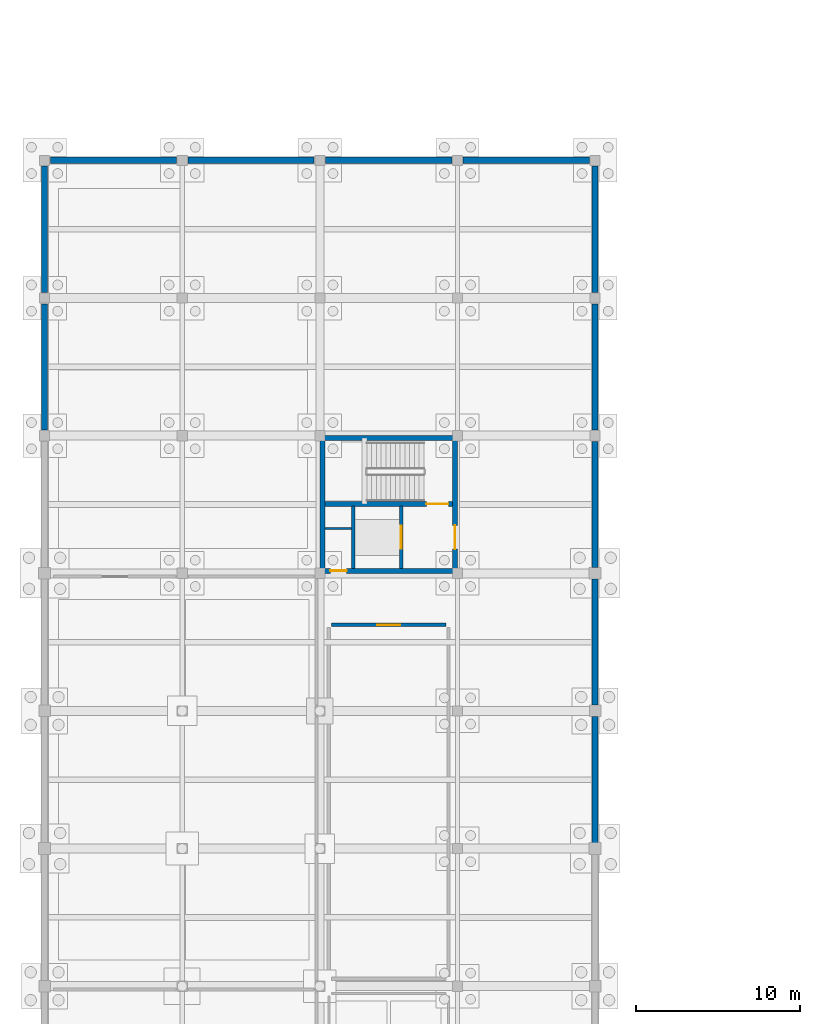
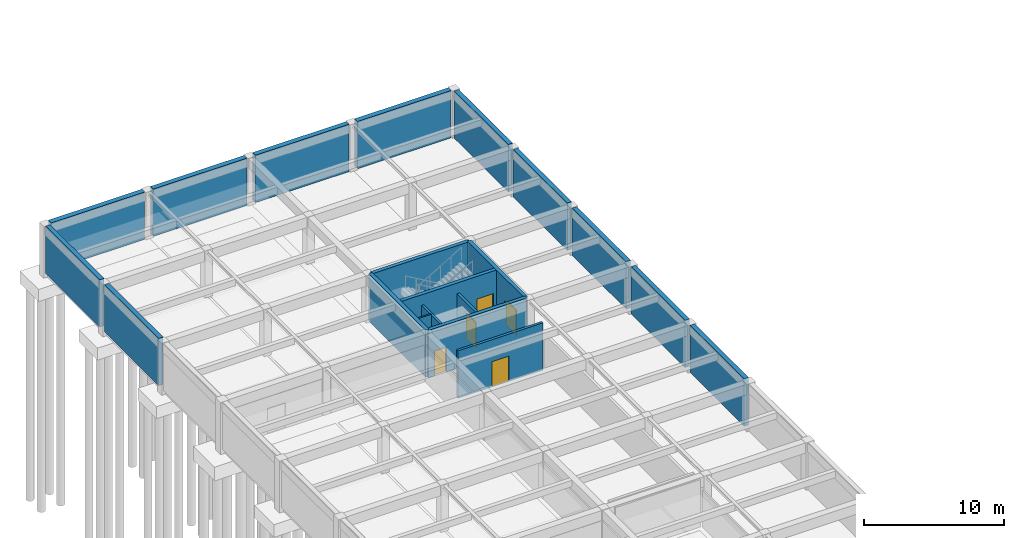
# One storey, part 20 of 33: 20 walls, 5 doors, 5 openings.
"""IFC4 building model written with IfcOpenShell, lengths in metres."""

from ifc_helpers import new_model, si_unit, direction, frame, frame_2d, origin, place, context, subcontext, project, spatial, rectangle, extrude, material, layer, layer_set, type_object, element, fill, save


model = new_model("IFC4")

# Units and contexts
model_context = context("Model", 3, precision=1e-05, world=origin(), true_north=direction((0.0, 1.0)))
body_context = subcontext(model_context, "Body", "Model", "MODEL_VIEW")
ifc_project = project(units=[si_unit("LENGTHUNIT", "METRE"), si_unit("AREAUNIT", "SQUARE_METRE"), si_unit("VOLUMEUNIT", "CUBIC_METRE"), si_unit("PLANEANGLEUNIT", "RADIAN"), si_unit("MASSUNIT", "GRAM", prefix="KILO")], contexts=[model_context])

# Site, building, storey
site_placement = place(None, origin())
site = spatial("IfcSite", under=ifc_project, at=site_placement, CompositionType="ELEMENT")
building_placement = place(site_placement, origin())
building = spatial("IfcBuilding", under=site, at=building_placement, Name="Kveldsbrygga Polytechnic", CompositionType="ELEMENT")
storey_placement = place(building_placement, frame((0.0, 0.0, -4.419921875)))
storey = spatial("IfcBuildingStorey", under=building, at=storey_placement, Name="B1", CompositionType="ELEMENT", Elevation=-4.419921875)

# Wall, opening, door
ifc_material_1 = material(Name="Concrete blockwork masonry", Category="masonry")
ifc_layer_1 = layer(ifc_material_1, 0.2099609375)
ifc_layer_set_1 = layer_set([ifc_layer_1], Name="Concrete blockwork masonry")
wall_type_1 = type_object("IfcWallType", Name="IW-PLT-210", PredefinedType="PARTITIONING", material=ifc_layer_set_1)
wall_1_placement = place(storey_placement, frame((17.5, 80.85009765625, 0.0), z_axis=(0.0, 0.0, 1.0), x_axis=(1.0, 0.0, 0.0)))
wall_1 = element("IfcWall", 1, at=wall_1_placement, inside=storey, type_object=wall_type_1, Name="Partition Wall IW-SP-B1-PLANT1-N1", PredefinedType="PARTITIONING", context=body_context, shape_type="SweptSolid", body=[
    extrude(rectangle(XDim=7.0, YDim=0.2099609375, at=frame_2d((3.5, 0.0))), origin(), (0.0, 0.0, 1.0), 4.119873046875),
])
opening_1_placement = place(wall_1_placement, frame((2.800048828125, 0.0, 0.0)))
opening_1 = element("IfcOpeningElement", 2, at=opening_1_placement, cuts=wall_1, Name="Opening ID-B1-004", PredefinedType="OPENING", context=body_context, shape_type="SweptSolid", body=[
    extrude(rectangle(XDim=1.39990234375, YDim=2.199951171875, at=frame_2d((0.699951171875, 1.10009765625))), frame((0.0, 0.114990234375, 0.0), z_axis=(0.0, -1.0, 0.0), x_axis=(1.0, 0.0, 0.0)), (0.0, 0.0, 1.0), 0.22998046875),
])
ifc_material_2 = material(Name="Powder-coated galvanised steel", Category="steel")
door_type_1 = type_object("IfcDoorType", Name="ID-PLT-140x220", OperationType="DOUBLE_DOOR_SINGLE_SWING", PredefinedType="DOOR", material=ifc_material_2)
door_1_placement = place(opening_1_placement, origin())
door_1 = element("IfcDoor", 3, at=door_1_placement, inside=storey, type_object=door_type_1, Name="Interior Door ID-B1-004", OperationType="DOUBLE_DOOR_SINGLE_SWING", OverallHeight=2.199951171875, OverallWidth=1.39990234375, PredefinedType="DOOR", context=body_context, shape_type="SweptSolid", body=[
    extrude(rectangle(XDim=1.39990234375, YDim=2.199951171875, at=frame_2d((0.699951171875, 1.10009765625))), frame((0.0, 0.02490234375, 0.0), z_axis=(0.0, -1.0, 0.0), x_axis=(1.0, 0.0, 0.0)), (0.0, 0.0, 1.0), 0.050048828125),
])
fill(opening_1, door_1)

# Wall
ifc_material_3 = material(Name="Moisture-resistant masonry M10", Category="masonry")
ifc_layer_2 = layer(ifc_material_3, 0.1298828125)
ifc_layer_set_2 = layer_set([ifc_layer_2], Name="Moisture-resistant masonry M10")
wall_type_2 = type_object("IfcWallType", Name="IW-SAN-130", PredefinedType="PARTITIONING", material=ifc_layer_set_2)
wall_2_placement = place(storey_placement, frame((17.1201171875, 86.739990234375, 0.0), z_axis=(0.0, 0.0, 1.0), x_axis=(1.0, 0.0, 0.0)))
element("IfcWall", 4, at=wall_2_placement, inside=storey, type_object=wall_type_2, Name="Core AWC Divider C8-B1-W-RSR", PredefinedType="PARTITIONING", context=body_context, shape_type="SweptSolid", body=[
    extrude(rectangle(XDim=1.619873046875, YDim=0.1298828125, at=frame_2d((0.81005859375, 0.0))), origin(), (0.0, 0.0, 1.0), 3.280029296875),
])

# Wall, opening, door
ifc_material_4 = material(Name="Concrete C45/55", Category="concrete")
ifc_layer_3 = layer(ifc_material_4, 0.300048828125)
ifc_layer_set_3 = layer_set([ifc_layer_3], Name="Concrete C45/55")
wall_type_3 = type_object("IfcWallType", Name="WL-CORE-300", PredefinedType="SHEAR", material=ifc_layer_set_3)
wall_3_placement = place(storey_placement, frame((16.949951171875, 84.14990234375, 0.0), z_axis=(0.0, 0.0, 1.0), x_axis=(1.0, 0.0, 0.0)))
wall_3 = element("IfcWall", 5, at=wall_3_placement, inside=storey, type_object=wall_type_3, Name="Core C8 Shear Wall C8-B1-SW-S", PredefinedType="SHEAR", context=body_context, shape_type="SweptSolid", body=[
    extrude(rectangle(XDim=8.10009765625, YDim=0.300048828125, at=frame_2d((4.050048828125, 0.0))), origin(), (0.0, 0.0, 1.0), 4.119873046875),
])
opening_2_placement = place(wall_3_placement, frame((0.485107421875, 0.0, 0.0)))
opening_2 = element("IfcOpeningElement", 6, at=opening_2_placement, cuts=wall_3, Name="Opening ID-C8-B1-AWC", PredefinedType="OPENING", context=body_context, shape_type="SweptSolid", body=[
    extrude(rectangle(XDim=1.0, YDim=2.14990234375, at=frame_2d((0.5, 1.074951171875))), frame((0.0, 0.16015625, 0.0), z_axis=(0.0, -1.0, 0.0), x_axis=(1.0, 0.0, 0.0)), (0.0, 0.0, 1.0), 0.320068359375),
])
ifc_material_5 = material(Name="Acoustic oak timber", Category="wood")
door_type_2 = type_object("IfcDoorType", Name="ID-AWC-100x215", OperationType="NOTDEFINED", PredefinedType="DOOR", material=ifc_material_5)
door_2_placement = place(opening_2_placement, origin())
door_2 = element("IfcDoor", 7, at=door_2_placement, inside=storey, type_object=door_type_2, Name="Accessible WC Door ID-C8-B1-AWC", OperationType="SINGLE_SWING_LEFT", OverallHeight=2.14990234375, OverallWidth=1.0, PredefinedType="DOOR", context=body_context, shape_type="SweptSolid", body=[
    extrude(rectangle(XDim=1.0, YDim=2.14990234375, at=frame_2d((0.5, 1.074951171875))), frame((0.0, 0.02490234375, 0.0), z_axis=(0.0, -1.0, 0.0), x_axis=(1.0, 0.0, 0.0)), (0.0, 0.0, 1.0), 0.050048828125),
])
fill(opening_2, door_2)

# Walls
for number, where, z_axis, x_axis, name in (
    (8, (16.949951171875, 92.25, 0.0), (0.0, 0.0, 1.0), (1.0, 0.0, 0.0), "Core C8 Shear Wall C8-B1-SW-N"),
    (9, (16.949951171875, 84.14990234375, 0.0), (0.0, 0.0, 1.0), (0.0, 1.0, 0.0), "Core C8 Shear Wall C8-B1-SW-W"),
):
    element("IfcWall", number, at=place(storey_placement, frame(where, z_axis=z_axis, x_axis=x_axis)), inside=storey, type_object=wall_type_3, Name=name, PredefinedType="SHEAR", context=body_context, shape_type="SweptSolid", body=[
        extrude(rectangle(XDim=8.10009765625, YDim=0.300048828125, at=frame_2d((4.050048828125, 0.0))), origin(), (0.0, 0.0, 1.0), 4.119873046875),
    ])

# Wall, opening, door
wall_4_placement = place(storey_placement, frame((25.050048828125, 84.14990234375, 0.0), z_axis=(0.0, 0.0, 1.0), x_axis=(0.0, 1.0, 0.0)))
wall_4 = element("IfcWall", 10, at=wall_4_placement, inside=storey, type_object=wall_type_3, Name="Core C8 Shear Wall C8-B1-SW-E", PredefinedType="SHEAR", context=body_context, shape_type="SweptSolid", body=[
    extrude(rectangle(XDim=8.10009765625, YDim=0.300048828125, at=frame_2d((4.050048828125, 0.0))), origin(), (0.0, 0.0, 1.0), 4.119873046875),
])
opening_3_placement = place(wall_4_placement, frame((1.324951171875, 0.0, 0.0)))
opening_3 = element("IfcOpeningElement", 11, at=opening_3_placement, cuts=wall_4, Name="Opening FD-C8-B1-LOB", PredefinedType="OPENING", context=body_context, shape_type="SweptSolid", body=[
    extrude(rectangle(XDim=1.449951171875, YDim=2.14990234375, at=frame_2d((0.72509765625, 1.074951171875))), frame((0.0, 0.16015625, 0.0), z_axis=(0.0, -1.0, 0.0), x_axis=(1.0, 0.0, 0.0)), (0.0, 0.0, 1.0), 0.320068359375),
])
door_type_3 = type_object("IfcDoorType", Name="ID-LOBBY-145x215", OperationType="DOUBLE_DOOR_SINGLE_SWING", PredefinedType="DOOR", material=ifc_material_2)
door_3_placement = place(opening_3_placement, origin())
door_3 = element("IfcDoor", 12, at=door_3_placement, inside=storey, type_object=door_type_3, Name="Core Lobby Fire Door FD-C8-B1-LOB", OperationType="DOUBLE_DOOR_SINGLE_SWING", OverallHeight=2.14990234375, OverallWidth=1.449951171875, PredefinedType="DOOR", context=body_context, shape_type="SweptSolid", body=[
    extrude(rectangle(XDim=1.449951171875, YDim=2.14990234375, at=frame_2d((0.72509765625, 1.074951171875))), frame((0.0, 0.02490234375, 0.0), z_axis=(0.0, -1.0, 0.0), x_axis=(1.0, 0.0, 0.0)), (0.0, 0.0, 1.0), 0.050048828125),
])
fill(opening_3, door_3)

wall_5_placement = place(storey_placement, frame((17.10009765625, 88.22998046875, 0.0), z_axis=(0.0, 0.0, 1.0), x_axis=(1.0, 0.0, 0.0)))
wall_5 = element("IfcWall", 13, at=wall_5_placement, inside=storey, type_object=wall_type_3, Name="Core C8 Shear Wall C8-B1-W-DIV", PredefinedType="SHEAR", context=body_context, shape_type="SweptSolid", body=[
    extrude(rectangle(XDim=7.7998046875, YDim=0.300048828125, at=frame_2d((3.89990234375, 0.0))), origin(), (0.0, 0.0, 1.0), 4.119873046875),
])
opening_4_placement = place(wall_5_placement, frame((6.199951171875, 0.0, 0.0)))
opening_4 = element("IfcOpeningElement", 14, at=opening_4_placement, cuts=wall_5, Name="Opening FD-C8-B1-ST", PredefinedType="OPENING", context=body_context, shape_type="SweptSolid", body=[
    extrude(rectangle(XDim=1.35009765625, YDim=2.14990234375, at=frame_2d((0.675048828125, 1.074951171875))), frame((0.0, 0.16015625, 0.0), z_axis=(0.0, -1.0, 0.0), x_axis=(1.0, 0.0, 0.0)), (0.0, 0.0, 1.0), 0.320068359375),
])
door_type_4 = type_object("IfcDoorType", Name="ID-STAIR-135x215", OperationType="NOTDEFINED", PredefinedType="DOOR", material=ifc_material_2)
door_4_placement = place(opening_4_placement, origin())
door_4 = element("IfcDoor", 15, at=door_4_placement, inside=storey, type_object=door_type_4, Name="Stair Fire Door FD-C8-B1-ST", OperationType="SINGLE_SWING_RIGHT", OverallHeight=2.14990234375, OverallWidth=1.35009765625, PredefinedType="DOOR", context=body_context, shape_type="SweptSolid", body=[
    extrude(rectangle(XDim=1.35009765625, YDim=2.14990234375, at=frame_2d((0.675048828125, 1.074951171875))), frame((0.0, 0.02490234375, 0.0), z_axis=(0.0, -1.0, 0.0), x_axis=(1.0, 0.0, 0.0)), (0.0, 0.0, 1.0), 0.050048828125),
])
fill(opening_4, door_4)

# Walls
ifc_material_6 = material(Name="Concrete C35/45", Category="concrete")
ifc_layer_4 = layer(ifc_material_6, 0.360107421875)
ifc_layer_set_4 = layer_set([ifc_layer_4], Name="Concrete C35/45")
wall_type_4 = type_object("IfcWallType", Name="WL-RET-360", PredefinedType="USERDEFINED", material=ifc_layer_set_4)
wall_6_placement = place(storey_placement, frame((0.0, 92.75, 0.0), z_axis=(0.0, 0.0, 1.0), x_axis=(0.0, 1.0, 0.0)))
element("IfcWall", 16, at=wall_6_placement, inside=storey, type_object=wall_type_4, Name="Basement Retaining Wall RW-W-00-11", ObjectType="RETAININGWALL", PredefinedType="USERDEFINED", context=body_context, shape_type="SweptSolid", body=[
    extrude(rectangle(XDim=7.699951171875, YDim=0.360107421875, at=frame_2d((3.85009765625, 0.0))), origin(), (0.0, 0.0, 1.0), 4.119873046875),
])
wall_7_placement = place(storey_placement, frame((0.0, 101.14990234375, 0.0), z_axis=(0.0, 0.0, 1.0), x_axis=(0.0, 1.0, 0.0)))
element("IfcWall", 17, at=wall_7_placement, inside=storey, type_object=wall_type_4, Name="Basement Retaining Wall RW-W-00-12", ObjectType="RETAININGWALL", PredefinedType="USERDEFINED", context=body_context, shape_type="SweptSolid", body=[
    extrude(rectangle(XDim=7.7001953125, YDim=0.360107421875, at=frame_2d((3.85009765625, 0.0))), origin(), (0.0, 0.0, 1.0), 4.119873046875),
])
for number, where, z_axis, x_axis, name in (
    (18, (33.60009765625, 67.550048828125, 0.0), (0.0, 0.0, 1.0), (0.0, 1.0, 0.0), "Basement Retaining Wall RW-E-03-08"),
    (19, (33.60009765625, 75.949951171875, 0.0), (0.0, 0.0, 1.0), (0.0, 1.0, 0.0), "Basement Retaining Wall RW-E-03-09"),
    (20, (33.60009765625, 84.35009765625, 0.0), (0.0, 0.0, 1.0), (0.0, 1.0, 0.0), "Basement Retaining Wall RW-E-03-10"),
    (21, (33.60009765625, 92.75, 0.0), (0.0, 0.0, 1.0), (0.0, 1.0, 0.0), "Basement Retaining Wall RW-E-03-11"),
):
    element("IfcWall", number, at=place(storey_placement, frame(where, z_axis=z_axis, x_axis=x_axis)), inside=storey, type_object=wall_type_4, Name=name, ObjectType="RETAININGWALL", PredefinedType="USERDEFINED", context=body_context, shape_type="SweptSolid", body=[
        extrude(rectangle(XDim=7.699951171875, YDim=0.360107421875, at=frame_2d((3.85009765625, 0.0))), origin(), (0.0, 0.0, 1.0), 4.119873046875),
    ])
wall_8_placement = place(storey_placement, frame((33.60009765625, 101.14990234375, 0.0), z_axis=(0.0, 0.0, 1.0), x_axis=(0.0, 1.0, 0.0)))
element("IfcWall", 22, at=wall_8_placement, inside=storey, type_object=wall_type_4, Name="Basement Retaining Wall RW-E-03-12", ObjectType="RETAININGWALL", PredefinedType="USERDEFINED", context=body_context, shape_type="SweptSolid", body=[
    extrude(rectangle(XDim=7.7001953125, YDim=0.360107421875, at=frame_2d((3.85009765625, 0.0))), origin(), (0.0, 0.0, 1.0), 4.119873046875),
])
ifc_layer_5 = layer(ifc_material_6, 0.39990234375)
ifc_layer_set_5 = layer_set([ifc_layer_5], Name="Concrete C35/45")
wall_type_5 = type_object("IfcWallType", Name="WL-RET-400", PredefinedType="USERDEFINED", material=ifc_layer_set_5)
for number, where, z_axis, x_axis, name in (
    (23, (0.35009765625, 109.199951171875, 0.0), (0.0, 0.0, 1.0), (1.0, 0.0, 0.0), "Basement Retaining Wall RW-N-00-12"),
    (24, (8.75, 109.199951171875, 0.0), (0.0, 0.0, 1.0), (1.0, 0.0, 0.0), "Basement Retaining Wall RW-N-01-12"),
):
    element("IfcWall", number, at=place(storey_placement, frame(where, z_axis=z_axis, x_axis=x_axis)), inside=storey, type_object=wall_type_5, Name=name, ObjectType="RETAININGWALL", PredefinedType="USERDEFINED", context=body_context, shape_type="SweptSolid", body=[
        extrude(rectangle(XDim=7.699951171875, YDim=0.39990234375, at=frame_2d((3.85009765625, 0.0))), origin(), (0.0, 0.0, 1.0), 4.119873046875),
    ])
wall_9_placement = place(storey_placement, frame((17.14990234375, 109.199951171875, 0.0), z_axis=(0.0, 0.0, 1.0), x_axis=(1.0, 0.0, 0.0)))
element("IfcWall", 25, at=wall_9_placement, inside=storey, type_object=wall_type_5, Name="Basement Retaining Wall RW-N-02-12", ObjectType="RETAININGWALL", PredefinedType="USERDEFINED", context=body_context, shape_type="SweptSolid", body=[
    extrude(rectangle(XDim=7.7001953125, YDim=0.39990234375, at=frame_2d((3.85009765625, 0.0))), origin(), (0.0, 0.0, 1.0), 4.119873046875),
])
wall_10_placement = place(storey_placement, frame((25.550048828125, 109.199951171875, 0.0), z_axis=(0.0, 0.0, 1.0), x_axis=(1.0, 0.0, 0.0)))
element("IfcWall", 26, at=wall_10_placement, inside=storey, type_object=wall_type_5, Name="Basement Retaining Wall RW-N-03-12", ObjectType="RETAININGWALL", PredefinedType="USERDEFINED", context=body_context, shape_type="SweptSolid", body=[
    extrude(rectangle(XDim=7.699951171875, YDim=0.39990234375, at=frame_2d((3.85009765625, 0.0))), origin(), (0.0, 0.0, 1.0), 4.119873046875),
])

# Wall, opening, door
ifc_layer_6 = layer(ifc_material_6, 0.199951171875)
ifc_layer_set_6 = layer_set([ifc_layer_6], Name="Concrete C35/45")
wall_type_6 = type_object("IfcWallType", Name="WL-SHFT-200", PredefinedType="SHEAR", material=ifc_layer_set_6)
wall_11_placement = place(storey_placement, frame((21.760009765625, 84.300048828125, 0.0), z_axis=(0.0, 0.0, 1.0), x_axis=(0.0, 1.0, 0.0)))
wall_11 = element("IfcWall", 27, at=wall_11_placement, inside=storey, type_object=wall_type_6, Name="Lift Front Wall C8-B1-W-LFR", PredefinedType="SHEAR", context=body_context, shape_type="SweptSolid", body=[
    extrude(rectangle(XDim=3.800048828125, YDim=0.199951171875, at=frame_2d((1.89990234375, 0.0))), origin(), (0.0, 0.0, 1.0), 3.199951171875),
])
opening_5_placement = place(wall_11_placement, frame((1.199951171875, 0.0, 0.0)))
opening_5 = element("IfcOpeningElement", 28, at=opening_5_placement, cuts=wall_11, Name="Opening LD-GL-2", PredefinedType="OPENING", context=body_context, shape_type="SweptSolid", body=[
    extrude(rectangle(XDim=1.39990234375, YDim=2.199951171875, at=frame_2d((0.699951171875, 1.10009765625))), frame((0.0, 0.10986328125, 0.0), z_axis=(0.0, -1.0, 0.0), x_axis=(1.0, 0.0, 0.0)), (0.0, 0.0, 1.0), 0.219970703125),
])
ifc_material_7 = material(Name="Brushed stainless steel EN 1.4401", Category="steel")
door_type_5 = type_object("IfcDoorType", Name="LD-GDS-140x220", OperationType="SLIDING_TO_LEFT", PredefinedType="DOOR", material=ifc_material_7)
door_5_placement = place(opening_5_placement, origin())
door_5 = element("IfcDoor", 29, at=door_5_placement, inside=storey, type_object=door_type_5, Name="Lift Landing Sliding Door LD-GL-2-B1", OperationType="SLIDING_TO_LEFT", OverallHeight=2.199951171875, OverallWidth=1.39990234375, PredefinedType="DOOR", context=body_context, shape_type="SweptSolid", body=[
    extrude(rectangle(XDim=1.39990234375, YDim=2.199951171875, at=frame_2d((0.699951171875, 1.10009765625))), frame((0.0, 0.02490234375, 0.0), z_axis=(0.0, -1.0, 0.0), x_axis=(1.0, 0.0, 0.0)), (0.0, 0.0, 1.0), 0.050048828125),
])
fill(opening_5, door_5)

# Wall
wall_12_placement = place(storey_placement, frame((18.840087890625, 84.300048828125, 0.0), z_axis=(0.0, 0.0, 1.0), x_axis=(0.0, 1.0, 0.0)))
element("IfcWall", 30, at=wall_12_placement, inside=storey, type_object=wall_type_6, Name="Lift Back Wall C8-B1-W-LBK", PredefinedType="SHEAR", context=body_context, shape_type="SweptSolid", body=[
    extrude(rectangle(XDim=3.800048828125, YDim=0.199951171875, at=frame_2d((1.89990234375, 0.0))), origin(), (0.0, 0.0, 1.0), 3.199951171875),
])

save(model, "model.ifc")
